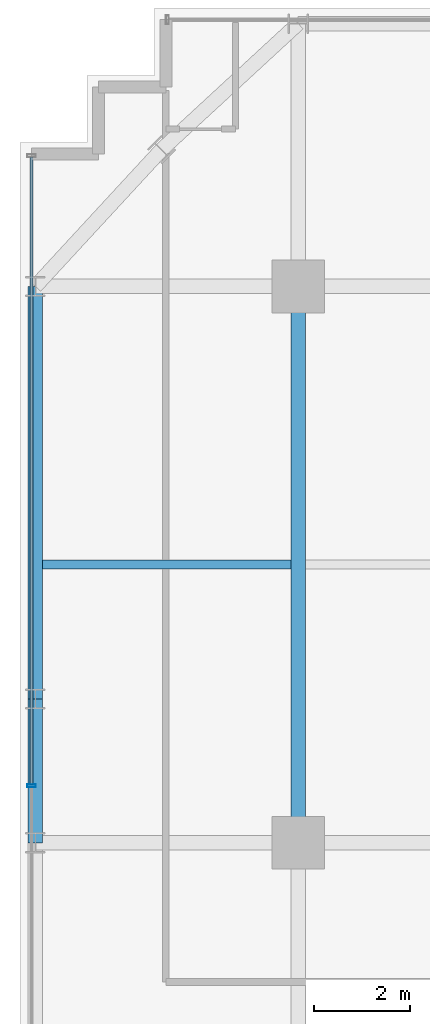
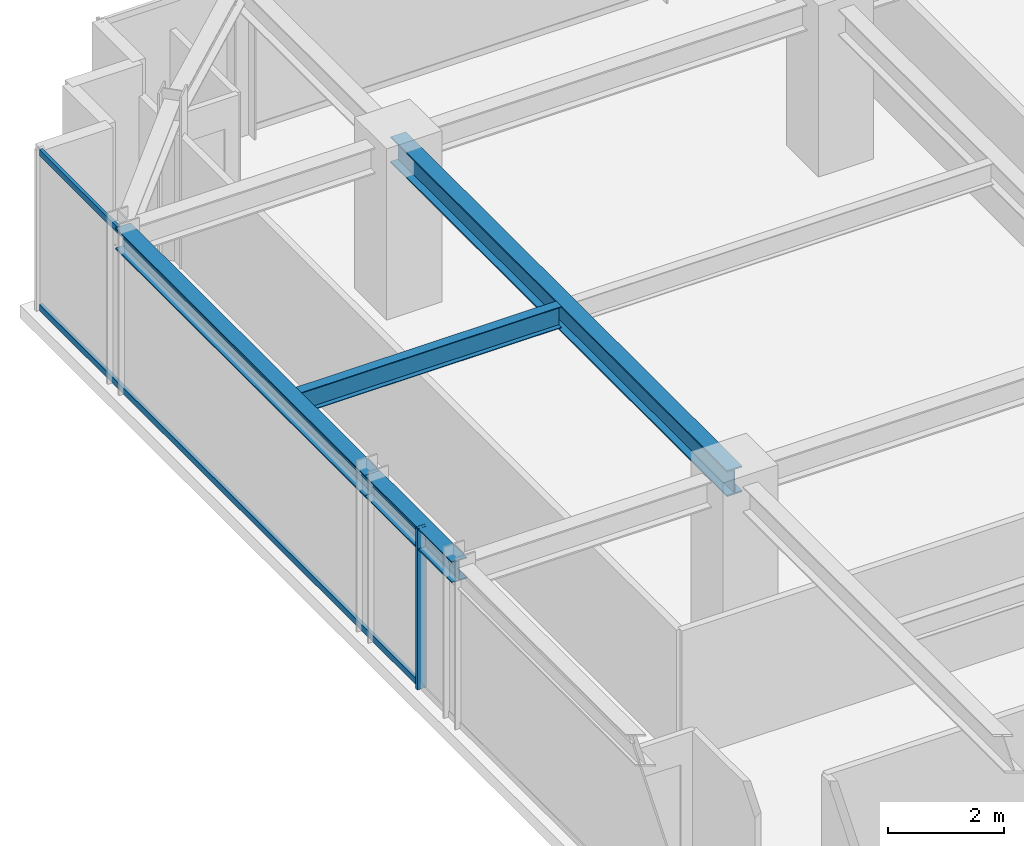
# One storey, part 13 of 31: 4 beams, 3 members, 1 element without a shape of its own.
"""IFC4 building model written with IfcOpenShell, lengths in metres."""

from ifc_helpers import new_model, si_unit, direction, frame, origin, origin_2d, place, context, subcontext, project, spatial, hollow_rectangle, i_section, extrude, source, transform, mapped, material, material_profile, profile_set, type_object, element, aggregate, save


model = new_model("IFC4")

# Units and contexts
model_context = context("Model", 3, precision=1e-05, world=origin(), true_north=direction((0.0, 1.0)))
body_context = subcontext(model_context, "Body", "Model", "MODEL_VIEW")
ifc_project = project(units=[si_unit("LENGTHUNIT", "METRE"), si_unit("AREAUNIT", "SQUARE_METRE"), si_unit("VOLUMEUNIT", "CUBIC_METRE"), si_unit("PLANEANGLEUNIT", "RADIAN"), si_unit("MASSUNIT", "GRAM", prefix="KILO")], contexts=[model_context])

# Site, building, storey
site_placement = place(None, origin())
site = spatial("IfcSite", under=ifc_project, at=site_placement, CompositionType="ELEMENT")
building_placement = place(site_placement, origin())
building = spatial("IfcBuilding", under=site, at=building_placement, Name="Nahalor Promenade Grand Hotel", CompositionType="ELEMENT")
storey_placement = place(building_placement, frame((0.0, 0.0, 192.800048828125)))
storey = spatial("IfcBuildingStorey", under=building, at=storey_placement, Name="L49", CompositionType="ELEMENT", Elevation=192.800048828125)

# Beams
ifc_material_1 = material(Name="Steel S355JR", Category="steel")
ifc_material_profile_1 = material_profile(ifc_material_1, i_section(OverallWidth=0.3, OverallDepth=0.55, WebThickness=0.015, FlangeThickness=0.029, at=origin_2d()), Name="HEB 550")
ifc_profile_set_1 = profile_set([ifc_material_profile_1], Name="Steel S355JR")
beam_type_1 = type_object("IfcBeamType", Name="Beam-Girder-HEB550", PredefinedType="BEAM", material=ifc_profile_set_1)
shared_shape_1 = source(origin(), body_context, "Body", "SweptSolid", [
    extrude(i_section(OverallWidth=0.3, OverallDepth=0.55, WebThickness=0.015, FlangeThickness=0.029, at=origin_2d()), origin(), (0.0, 0.0, 1.0), 11.60009765625),
])
beam_1_placement = place(storey_placement, frame((-17.0, 5.39990234375, 3.114990234375), z_axis=(0.0, 1.0, 0.0), x_axis=(-1.0, 0.0, 0.0)))
element("IfcBeam", 1, at=beam_1_placement, inside=storey, type_object=beam_type_1, Name="BM-L49-GY-0-3", PredefinedType="BEAM", context=body_context, shape_type="MappedRepresentation", body=[
    mapped(shared_shape_1, transform((0.0, 0.0, 0.0), scale=1.0)),
])
ifc_material_profile_2 = material_profile(ifc_material_1, i_section(OverallWidth=0.19, OverallDepth=0.45, WebThickness=0.0094, FlangeThickness=0.0146, at=origin_2d()), Name="IPE 450")
ifc_profile_set_2 = profile_set([ifc_material_profile_2], Name="Steel S355JR")
beam_type_2 = type_object("IfcBeamType", Name="Beam-Joist-IPE450", PredefinedType="JOIST", material=ifc_profile_set_2)
shared_shape_2 = source(origin(), body_context, "Body", "SweptSolid", [
    extrude(i_section(OverallWidth=0.19, OverallDepth=0.45, WebThickness=0.0094, FlangeThickness=0.0146, at=origin_2d()), origin(), (0.0, 0.0, 1.0), 5.18017578125),
])
beam_2_placement = place(storey_placement, frame((-22.330078125, 11.199951171875, 3.1650390625), z_axis=(1.0, 0.0, 0.0), x_axis=(0.0, 1.0, 0.0)))
element("IfcBeam", 2, at=beam_2_placement, inside=storey, type_object=beam_type_2, Name="BM-L49-JSW-1-0", PredefinedType="JOIST", context=body_context, shape_type="MappedRepresentation", body=[
    mapped(shared_shape_2, transform((0.0, 0.0, 0.0), scale=1.0)),
])
ifc_material_profile_3 = material_profile(ifc_material_1, i_section(OverallWidth=0.3, OverallDepth=0.45, WebThickness=0.014, FlangeThickness=0.026, at=origin_2d()), Name="HEB 450")
ifc_profile_set_3 = profile_set([ifc_material_profile_3], Name="Steel S355JR")
beam_type_3 = type_object("IfcBeamType", Name="Beam-Spandrel-HEB450", PredefinedType="SPANDREL", material=ifc_profile_set_3)
shared_shape_3 = source(origin(), body_context, "Body", "SweptSolid", [
    extrude(i_section(OverallWidth=0.3, OverallDepth=0.45, WebThickness=0.014, FlangeThickness=0.026, at=origin_2d()), origin(), (0.0, 0.0, 1.0), 8.60009765625),
])
beam_3_placement = place(storey_placement, frame((-22.47998046875, 8.39990234375, 3.1650390625), z_axis=(0.0, 1.0, 0.0), x_axis=(-1.0, 0.0, 0.0)))
element("IfcBeam", 3, at=beam_3_placement, inside=storey, type_object=beam_type_3, Name="BM-L49-SP-W-4", PredefinedType="SPANDREL", context=body_context, shape_type="MappedRepresentation", body=[
    mapped(shared_shape_3, transform((0.0, 0.0, 0.0), scale=1.0)),
])
shared_shape_4 = source(origin(), body_context, "Body", "SweptSolid", [
    extrude(i_section(OverallWidth=0.3, OverallDepth=0.45, WebThickness=0.014, FlangeThickness=0.026, at=origin_2d()), origin(), (0.0, 0.0, 1.0), 3.0),
])
beam_4_placement = place(storey_placement, frame((-22.47998046875, 5.39990234375, 3.1650390625), z_axis=(0.0, 1.0, 0.0), x_axis=(-1.0, 0.0, 0.0)))
element("IfcBeam", 4, at=beam_4_placement, inside=storey, type_object=beam_type_3, Name="BM-L49-SP-W-3", PredefinedType="SPANDREL", context=body_context, shape_type="MappedRepresentation", body=[
    mapped(shared_shape_4, transform((0.0, 0.0, 0.0), scale=1.0)),
])

# Curtain wall, members
ifc_material_2 = material(Name="Anodised Bronze Aluminium EN AW-6063 T6", Category="aluminium")
curtain_wall_type = type_object("IfcCurtainWallType", Name="CW2 Typical Hotel Flush Bronze Unitised Curtain Wall", PredefinedType="USERDEFINED", material=ifc_material_2)
curtain_wall_placement = place(storey_placement, origin())
curtain_wall = element("IfcCurtainWall", 5, at=curtain_wall_placement, inside=storey, type_object=curtain_wall_type, Name="L49 Curtain Wall CW-L49-W-1", ObjectType="UNITISED_CURTAIN_WALL", PredefinedType="USERDEFINED")
ifc_material_profile_4 = material_profile(ifc_material_2, hollow_rectangle(XDim=0.065, YDim=0.18, WallThickness=0.004, at=origin_2d()), Name="CWM 65x180x4")
ifc_profile_set_4 = profile_set([ifc_material_profile_4], Name="Anodised Bronze Aluminium EN AW-6063 T6")
member_type_1 = type_object("IfcMemberType", Name="CWM2 Typical Bronze Mullion 65x180", PredefinedType="MULLION", material=ifc_profile_set_4)
shared_shape_5 = source(origin(), body_context, "Body", "SweptSolid", [
    extrude(hollow_rectangle(XDim=0.065, YDim=0.18, WallThickness=0.004, at=origin_2d()), origin(), (0.0, 0.0, 1.0), 3.389892578125),
])
member_1_placement = place(storey_placement, frame((-22.56005859375, 6.586669921875, 0.0), z_axis=(0.0, 0.0, 1.0), x_axis=(0.0, 1.0, 0.0)))
member_1 = element("IfcMember", 6, at=member_1_placement, type_object=member_type_1, Name="CW-L49-W-1 Mullion 2", PredefinedType="MULLION", context=body_context, shape_type="MappedRepresentation", body=[
    mapped(shared_shape_5, transform((0.0, 0.0, 0.0), scale=1.0)),
])
ifc_material_profile_5 = material_profile(ifc_material_2, hollow_rectangle(XDim=0.065, YDim=0.13, WallThickness=0.004, at=origin_2d()), Name="CWT 65x130x4")
ifc_profile_set_5 = profile_set([ifc_material_profile_5], Name="Anodised Bronze Aluminium EN AW-6063 T6")
member_type_2 = type_object("IfcMemberType", Name="CWT2 Typical Bronze Transom 65x130", PredefinedType="USERDEFINED", material=ifc_profile_set_5)
shared_shape_6 = source(origin(), body_context, "Body", "SweptSolid", [
    extrude(hollow_rectangle(XDim=0.065, YDim=0.13, WallThickness=0.004, at=origin_2d()), origin(), (0.0, 0.0, 1.0), 13.075927734375),
])
member_2_placement = place(storey_placement, frame((-22.56005859375, 6.619140625, 0.06494140625), z_axis=(0.0, 1.0, 0.0), x_axis=(-1.0, 0.0, 0.0)))
member_2 = element("IfcMember", 7, at=member_2_placement, type_object=member_type_2, Name="CW-L49-W-1 Transom 2-0", ObjectType="TRANSOM", PredefinedType="USERDEFINED", context=body_context, shape_type="MappedRepresentation", body=[
    mapped(shared_shape_6, transform((0.0, 0.0, 0.0), scale=1.0)),
])
member_3_placement = place(storey_placement, frame((-22.56005859375, 6.619140625, 3.324951171875), z_axis=(0.0, 1.0, 0.0), x_axis=(-1.0, 0.0, 0.0)))
member_3 = element("IfcMember", 8, at=member_3_placement, type_object=member_type_2, Name="CW-L49-W-1 Transom 2-1", ObjectType="TRANSOM", PredefinedType="USERDEFINED", context=body_context, shape_type="MappedRepresentation", body=[
    mapped(shared_shape_6, transform((0.0, 0.0, 0.0), scale=1.0)),
])
aggregate(curtain_wall, [member_1, member_2, member_3])

save(model, "model.ifc")
